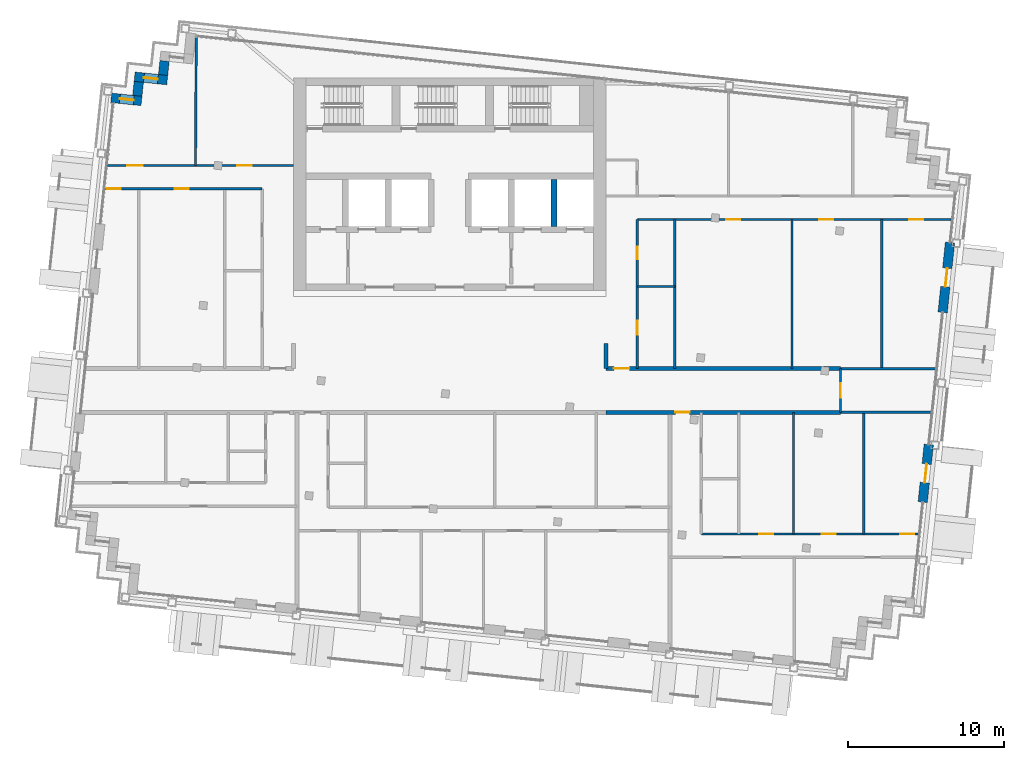
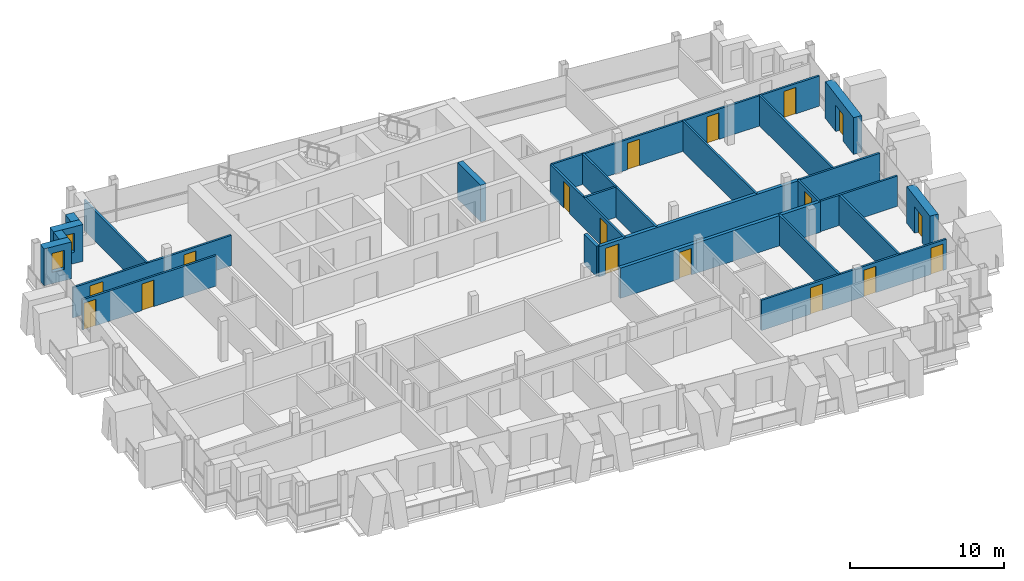
# One storey, part 11 of 16: 25 walls, 17 doors, 2 windows, 19 openings.
"""IFC4 building model written with IfcOpenShell, lengths in metres."""

from ifc_helpers import new_model, si_unit, direction, frame, frame_2d, origin, place, context, subcontext, project, spatial, rectangle, extrude, material, layer, layer_set, type_object, element, fill, save


model = new_model("IFC4")

# Units and contexts
model_context = context("Model", 3, precision=1e-05, world=origin(), true_north=direction((0.0, 1.0)))
body_context = subcontext(model_context, "Body", "Model", "MODEL_VIEW")
ifc_project = project(units=[si_unit("LENGTHUNIT", "METRE"), si_unit("AREAUNIT", "SQUARE_METRE"), si_unit("VOLUMEUNIT", "CUBIC_METRE"), si_unit("PLANEANGLEUNIT", "RADIAN"), si_unit("MASSUNIT", "GRAM", prefix="KILO")], contexts=[model_context])

# Site, building, storey
site_placement = place(None, origin())
site = spatial("IfcSite", under=ifc_project, at=site_placement, CompositionType="ELEMENT")
building_placement = place(site_placement, origin())
building = spatial("IfcBuilding", under=site, at=building_placement, Name="Vidyagriha Tower", CompositionType="ELEMENT")
storey_placement = place(building_placement, frame((0.0, 0.0, 256.300048828125)))
storey = spatial("IfcBuildingStorey", under=building, at=storey_placement, Name="L66", CompositionType="ELEMENT", Elevation=256.300048828125)

# Wall
ifc_material_1 = material(Name="Precast concrete C40/50 with brick facing", Category="concrete")
ifc_layer_1 = layer(ifc_material_1, 0.60009765625)
ifc_layer_set_1 = layer_set([ifc_layer_1], Name="Precast concrete C40/50 with brick facing")
wall_type_1 = type_object("IfcWallType", Name="Brick-faced precast wall 600", PredefinedType="STANDARD", material=ifc_layer_set_1)
wall_1_placement = place(storey_placement, frame((-18.250244140625, 21.083984375, 0.0), z_axis=(0.0, 0.0, 1.0), x_axis=(-0.104416541099, -0.994533652495, 0.0)))
element("IfcWall", 1, at=wall_1_placement, inside=storey, type_object=wall_type_1, Name="Stepped corner wall L66 R10", PredefinedType="STANDARD", context=body_context, shape_type="SweptSolid", body=[
    extrude(rectangle(XDim=0.900146484375, YDim=0.60009765625, at=frame_2d((0.4501953125, 0.0))), origin(), (0.0, 0.0, 1.0), 2.919921875),
])

# Wall, opening, window
wall_2_placement = place(storey_placement, frame((-18.077392578125, 19.859130859375, 0.0), z_axis=(0.0, 0.0, 1.0), x_axis=(-0.994522640205, 0.104521376379, 0.0)))
wall_2 = element("IfcWall", 2, at=wall_2_placement, inside=storey, type_object=wall_type_1, Name="Stepped corner wall L66 R11", PredefinedType="STANDARD", context=body_context, shape_type="SweptSolid", body=[
    extrude(rectangle(XDim=2.099853515625, YDim=0.60009765625, at=frame_2d((1.0498046875, 0.0))), origin(), (0.0, 0.0, 1.0), 2.919921875),
])
opening_1_placement = place(wall_2_placement, frame((0.60009765625, 0.0, 0.89990234375)))
opening_1 = element("IfcOpeningElement", 3, at=opening_1_placement, cuts=wall_2, Name="Opening WN1", PredefinedType="OPENING", context=body_context, shape_type="SweptSolid", body=[
    extrude(rectangle(XDim=0.89990234375, YDim=1.5, at=frame_2d((0.449951171875, 0.75))), frame((0.0, 0.31005859375, 0.0), z_axis=(0.0, -1.0, 0.0), x_axis=(1.0, 0.0, 0.0)), (0.0, 0.0, 1.0), 0.6201171875),
])
ifc_material_2 = material(Name="Aluminium and glass window", Category="aluminium")
window_type = type_object("IfcWindowType", Name="Reveal window 900x1500", PartitioningType="NOTDEFINED", PredefinedType="WINDOW", material=ifc_material_2)
window_1_placement = place(opening_1_placement, origin())
window_1 = element("IfcWindow", 4, at=window_1_placement, inside=storey, type_object=window_type, Name="Reveal window L66 R11", OverallHeight=1.5, OverallWidth=0.89990234375, PartitioningType="SINGLE_PANEL", PredefinedType="WINDOW", context=body_context, shape_type="SweptSolid", body=[
    extrude(rectangle(XDim=0.89990234375, YDim=1.5, at=frame_2d((0.449951171875, 0.75))), frame((0.0, 0.030029296875, 0.0), z_axis=(0.0, -1.0, 0.0), x_axis=(1.0, 0.0, 0.0)), (0.0, 0.0, 1.0), 0.06005859375),
])
fill(opening_1, window_1)

# Wall
wall_3_placement = place(storey_placement, frame((-19.898681640625, 19.748779296875, 0.0), z_axis=(0.0, 0.0, 1.0), x_axis=(-0.104741284723, -0.994499503909, 0.0)))
element("IfcWall", 5, at=wall_3_placement, inside=storey, type_object=wall_type_1, Name="Stepped corner wall L66 R12", PredefinedType="STANDARD", context=body_context, shape_type="SweptSolid", body=[
    extrude(rectangle(XDim=0.899658203125, YDim=0.60009765625, at=frame_2d((0.44970703125, 0.0))), origin(), (0.0, 0.0, 1.0), 2.919921875),
])

# Wall, opening, window
wall_4_placement = place(storey_placement, frame((-19.725830078125, 18.5244140625, 0.0), z_axis=(0.0, 0.0, 1.0), x_axis=(-0.994534226826, 0.104411070641, 0.0)))
wall_4 = element("IfcWall", 6, at=wall_4_placement, inside=storey, type_object=wall_type_1, Name="Stepped corner wall L66 R13", PredefinedType="STANDARD", context=body_context, shape_type="SweptSolid", body=[
    extrude(rectangle(XDim=1.9501953125, YDim=0.60009765625, at=frame_2d((0.97509765625, 0.0))), origin(), (0.0, 0.0, 1.0), 2.919921875),
])
opening_2_placement = place(wall_4_placement, frame((0.489990234375, 0.0, 0.89990234375)))
opening_2 = element("IfcOpeningElement", 7, at=opening_2_placement, cuts=wall_4, Name="Opening WN1", PredefinedType="OPENING", context=body_context, shape_type="SweptSolid", body=[
    extrude(rectangle(XDim=0.89990234375, YDim=1.5, at=frame_2d((0.449951171875, 0.75))), frame((0.0, 0.31005859375, 0.0), z_axis=(0.0, -1.0, 0.0), x_axis=(1.0, 0.0, 0.0)), (0.0, 0.0, 1.0), 0.6201171875),
])
window_2_placement = place(opening_2_placement, origin())
window_2 = element("IfcWindow", 8, at=window_2_placement, inside=storey, type_object=window_type, Name="Reveal window L66 R13", OverallHeight=1.5, OverallWidth=0.89990234375, PartitioningType="SINGLE_PANEL", PredefinedType="WINDOW", context=body_context, shape_type="SweptSolid", body=[
    extrude(rectangle(XDim=0.89990234375, YDim=1.5, at=frame_2d((0.449951171875, 0.75))), frame((0.0, 0.030029296875, 0.0), z_axis=(0.0, -1.0, 0.0), x_axis=(1.0, 0.0, 0.0)), (0.0, 0.0, 1.0), 0.06005859375),
])
fill(opening_2, window_2)

# Wall, opening, door
wall_5_placement = place(storey_placement, frame((30.26513671875, -7.14208984375, 0.0), z_axis=(0.0, 0.0, 1.0), x_axis=(0.104513052986, 0.994523514933, 0.0)))
wall_5 = element("IfcWall", 9, at=wall_5_placement, inside=storey, type_object=wall_type_1, Name="Brick door bay wall L66 R28.3", PredefinedType="STANDARD", context=body_context, shape_type="SweptSolid", body=[
    extrude(rectangle(XDim=3.7001953125, YDim=0.60009765625, at=frame_2d((1.85009765625, 0.0))), origin(), (0.0, 0.0, 1.0), 2.919921875),
])
opening_3_placement = place(wall_5_placement, frame((1.25, 0.0, 0.0)))
opening_3 = element("IfcOpeningElement", 10, at=opening_3_placement, cuts=wall_5, Name="Opening D66-60", PredefinedType="OPENING", context=body_context, shape_type="SweptSolid", body=[
    extrude(rectangle(XDim=1.199951171875, YDim=2.10009765625, at=frame_2d((0.60009765625, 1.050048828125))), frame((0.0, 0.31005859375, 0.0), z_axis=(0.0, -1.0, 0.0), x_axis=(1.0, 0.0, 0.0)), (0.0, 0.0, 1.0), 0.6201171875),
])
ifc_material_3 = material(Name="Aluminium framed glazed sliding door", Category="aluminium")
door_type_1 = type_object("IfcDoorType", Name="Balcony sliding door 1200x2100", OperationType="NOTDEFINED", PredefinedType="DOOR", material=ifc_material_3)
door_1_placement = place(opening_3_placement, origin())
door_1 = element("IfcDoor", 11, at=door_1_placement, inside=storey, type_object=door_type_1, Name="Door D66-60", OperationType="SLIDING_TO_LEFT", OverallHeight=2.10009765625, OverallWidth=1.199951171875, PredefinedType="DOOR", context=body_context, shape_type="SweptSolid", body=[
    extrude(rectangle(XDim=1.199951171875, YDim=2.10009765625, at=frame_2d((0.60009765625, 1.050048828125))), frame((0.0, 0.02490234375, 0.0), z_axis=(0.0, -1.0, 0.0), x_axis=(1.0, 0.0, 0.0)), (0.0, 0.0, 1.0), 0.050048828125),
])
fill(opening_3, door_1)

wall_6_placement = place(storey_placement, frame((31.540283203125, 4.9912109375, 0.0), z_axis=(0.0, 0.0, 1.0), x_axis=(0.104546400045, 0.994520009974, 0.0)))
wall_6 = element("IfcWall", 12, at=wall_6_placement, inside=storey, type_object=wall_type_1, Name="Brick door bay wall L66 R28.6", PredefinedType="STANDARD", context=body_context, shape_type="SweptSolid", body=[
    extrude(rectangle(XDim=4.5, YDim=0.60009765625, at=frame_2d((2.25, 0.0))), origin(), (0.0, 0.0, 1.0), 2.919921875),
])
opening_4_placement = place(wall_6_placement, frame((1.64990234375, 0.0, 0.0)))
opening_4 = element("IfcOpeningElement", 13, at=opening_4_placement, cuts=wall_6, Name="Opening D66-61", PredefinedType="OPENING", context=body_context, shape_type="SweptSolid", body=[
    extrude(rectangle(XDim=1.199951171875, YDim=2.10009765625, at=frame_2d((0.60009765625, 1.050048828125))), frame((0.0, 0.31005859375, 0.0), z_axis=(0.0, -1.0, 0.0), x_axis=(1.0, 0.0, 0.0)), (0.0, 0.0, 1.0), 0.6201171875),
])
door_2_placement = place(opening_4_placement, origin())
door_2 = element("IfcDoor", 14, at=door_2_placement, inside=storey, type_object=door_type_1, Name="Door D66-61", OperationType="SLIDING_TO_LEFT", OverallHeight=2.10009765625, OverallWidth=1.199951171875, PredefinedType="DOOR", context=body_context, shape_type="SweptSolid", body=[
    extrude(rectangle(XDim=1.199951171875, YDim=2.10009765625, at=frame_2d((0.60009765625, 1.050048828125))), frame((0.0, 0.02490234375, 0.0), z_axis=(0.0, -1.0, 0.0), x_axis=(1.0, 0.0, 0.0)), (0.0, 0.0, 1.0), 0.050048828125),
])
fill(opening_4, door_2)

# Wall
ifc_material_4 = material(Name="Concrete C60/75", Category="concrete")
ifc_layer_2 = layer(ifc_material_4, 0.39990234375)
ifc_layer_set_2 = layer_set([ifc_layer_2], Name="Concrete C60/75")
wall_type_2 = type_object("IfcWallType", Name="Core shear wall 400 mm", PredefinedType="SHEAR", material=ifc_layer_set_2)
wall_7_placement = place(storey_placement, frame((6.666748046875, 10.5, 0.0), z_axis=(0.0, 0.0, 1.0), x_axis=(0.0, 1.0, 0.0)))
element("IfcWall", 15, at=wall_7_placement, inside=storey, type_object=wall_type_2, Name="Core bay wall N6", PredefinedType="SHEAR", context=body_context, shape_type="SweptSolid", body=[
    extrude(rectangle(XDim=3.0, YDim=0.39990234375, at=frame_2d((1.5, 0.0))), origin(), (0.0, 0.0, 1.0), 2.919921875),
])

# Wall, opening, door
ifc_material_5 = material(Name="Fired clay brick masonry", Category="masonry")
ifc_layer_3 = layer(ifc_material_5, 0.25)
ifc_layer_set_3 = layer_set([ifc_layer_3], Name="Fired clay brick masonry")
wall_type_3 = type_object("IfcWallType", Name="Fired clay brick corridor wall 250", PredefinedType="PARTITIONING", material=ifc_layer_set_3)
wall_8_placement = place(storey_placement, frame((25.0, -1.39990234375, 0.0), z_axis=(0.0, 0.0, 1.0), x_axis=(-1.0, 0.0, 0.0)))
wall_8 = element("IfcWall", 16, at=wall_8_placement, inside=storey, type_object=wall_type_3, Name="Wall all-L66-w054", PredefinedType="PARTITIONING", context=body_context, shape_type="SweptSolid", body=[
    extrude(rectangle(XDim=15.0, YDim=0.25, at=frame_2d((7.5, 0.0))), origin(), (0.0, 0.0, 1.0), 2.39990234375),
])
opening_5_placement = place(wall_8_placement, frame((9.657958984375, 0.0, 0.0)))
opening_5 = element("IfcOpeningElement", 17, at=opening_5_placement, cuts=wall_8, Name="Opening D66-34", PredefinedType="OPENING", context=body_context, shape_type="SweptSolid", body=[
    extrude(rectangle(XDim=0.89990234375, YDim=2.10009765625, at=frame_2d((0.449951171875, 1.050048828125))), frame((0.0, 0.135009765625, 0.0), z_axis=(0.0, -1.0, 0.0), x_axis=(1.0, 0.0, 0.0)), (0.0, 0.0, 1.0), 0.27001953125),
])
ifc_material_6 = material(Name="Fire-rated timber door leaf EI 60", Category="wood")
door_type_2 = type_object("IfcDoorType", Name="Flat entrance fire door 900x2100", OperationType="NOTDEFINED", PredefinedType="DOOR", material=ifc_material_6)
door_3_placement = place(opening_5_placement, origin())
door_3 = element("IfcDoor", 18, at=door_3_placement, inside=storey, type_object=door_type_2, Name="Door D66-34", OperationType="SINGLE_SWING_RIGHT", OverallHeight=2.10009765625, OverallWidth=0.89990234375, PredefinedType="DOOR", context=body_context, shape_type="SweptSolid", body=[
    extrude(rectangle(XDim=0.89990234375, YDim=2.10009765625, at=frame_2d((0.449951171875, 1.050048828125))), frame((0.0, 0.02490234375, 0.0), z_axis=(0.0, -1.0, 0.0), x_axis=(1.0, 0.0, 0.0)), (0.0, 0.0, 1.0), 0.050048828125),
])
fill(opening_5, door_3)

wall_9_placement = place(storey_placement, frame((10.0, 1.39990234375, 0.0)))
wall_9 = element("IfcWall", 19, at=wall_9_placement, inside=storey, type_object=wall_type_3, Name="Wall all-L66-w092", PredefinedType="PARTITIONING", context=body_context, shape_type="SweptSolid", body=[
    extrude(rectangle(XDim=15.0, YDim=0.25, at=frame_2d((7.5, 0.0))), origin(), (0.0, 0.0, 1.0), 2.39990234375),
])
opening_6_placement = place(wall_9_placement, frame((0.5, 0.0, 0.0)))
opening_6 = element("IfcOpeningElement", 20, at=opening_6_placement, cuts=wall_9, Name="Opening D66-51", PredefinedType="OPENING", context=body_context, shape_type="SweptSolid", body=[
    extrude(rectangle(XDim=1.0, YDim=2.10009765625, at=frame_2d((0.5, 1.050048828125))), frame((0.0, 0.135009765625, 0.0), z_axis=(0.0, -1.0, 0.0), x_axis=(1.0, 0.0, 0.0)), (0.0, 0.0, 1.0), 0.27001953125),
])
ifc_material_7 = material(Name="Fire-rated timber door leaf EI 60", Category="wood")
door_type_3 = type_object("IfcDoorType", Name="Flat entrance fire door 1000x2100", OperationType="NOTDEFINED", PredefinedType="DOOR", material=ifc_material_7)
door_4_placement = place(opening_6_placement, origin())
door_4 = element("IfcDoor", 21, at=door_4_placement, inside=storey, type_object=door_type_3, Name="Door D66-51", OperationType="SINGLE_SWING_LEFT", OverallHeight=2.10009765625, OverallWidth=1.0, PredefinedType="DOOR", context=body_context, shape_type="SweptSolid", body=[
    extrude(rectangle(XDim=1.0, YDim=2.10009765625, at=frame_2d((0.5, 1.050048828125))), frame((0.0, 0.02490234375, 0.0), z_axis=(0.0, -1.0, 0.0), x_axis=(1.0, 0.0, 0.0)), (0.0, 0.0, 1.0), 0.050048828125),
])
fill(opening_6, door_4)

# Walls
wall_10_placement = place(storey_placement, frame((10.0, 1.39990234375, 0.0), z_axis=(0.0, 0.0, 1.0), x_axis=(0.0, 1.0, 0.0)))
element("IfcWall", 22, at=wall_10_placement, inside=storey, type_object=wall_type_3, Name="Wall all-L66-w098", PredefinedType="PARTITIONING", context=body_context, shape_type="SweptSolid", body=[
    extrude(rectangle(XDim=1.60009765625, YDim=0.25, at=frame_2d((0.800048828125, 0.0))), origin(), (0.0, 0.0, 1.0), 2.39990234375),
])
ifc_material_8 = material(Name="Gypsum board partition")
ifc_layer_4 = layer(ifc_material_8, 0.14990234375)
ifc_layer_set_4 = layer_set([ifc_layer_4], Name="Gypsum board partition")
wall_type_4 = type_object("IfcWallType", Name="Gypsum board partition 150", PredefinedType="PARTITIONING", material=ifc_layer_set_4)
for number, where, z_axis, x_axis, name in (
    (23, (21.998046875, -1.39990234375, 0.0), (0.0, 0.0, 1.0), (0.0, -1.0, 0.0), "Wall all-L66-w041"),
    (24, (26.498046875, -1.39990234375, 0.0), (0.0, 0.0, 1.0), (0.0, -1.0, 0.0), "Wall all-L66-w042"),
):
    element("IfcWall", number, at=place(storey_placement, frame(where, z_axis=z_axis, x_axis=x_axis)), inside=storey, type_object=wall_type_4, Name=name, PredefinedType="PARTITIONING", context=body_context, shape_type="SweptSolid", body=[
        extrude(rectangle(XDim=7.78173828125, YDim=0.14990234375, at=frame_2d((3.890869140625, 0.0))), origin(), (0.0, 0.0, 1.0), 2.39990234375),
    ])

# Wall, openings, doors
wall_11_placement = place(storey_placement, frame((16.097900390625, -9.181640625, 0.0)))
wall_11 = element("IfcWall", 25, at=wall_11_placement, inside=storey, type_object=wall_type_4, Name="Wall all-L66-w043", PredefinedType="PARTITIONING", context=body_context, shape_type="SweptSolid", body=[
    extrude(rectangle(XDim=13.873291015625, YDim=0.14990234375, at=frame_2d((6.9365234375, 0.0))), origin(), (0.0, 0.0, 1.0), 2.39990234375),
])
opening_7_placement = place(wall_11_placement, frame((3.699951171875, 0.0, 0.0)))
opening_7 = element("IfcOpeningElement", 26, at=opening_7_placement, cuts=wall_11, Name="Opening D66-29", PredefinedType="OPENING", context=body_context, shape_type="SweptSolid", body=[
    extrude(rectangle(XDim=0.89990234375, YDim=2.10009765625, at=frame_2d((0.449951171875, 1.050048828125))), frame((0.0, 0.0849609375, 0.0), z_axis=(0.0, -1.0, 0.0), x_axis=(1.0, 0.0, 0.0)), (0.0, 0.0, 1.0), 0.169921875),
])
opening_8_placement = place(wall_11_placement, frame((7.699951171875, 0.0, 0.0)))
opening_8 = element("IfcOpeningElement", 27, at=opening_8_placement, cuts=wall_11, Name="Opening D66-30", PredefinedType="OPENING", context=body_context, shape_type="SweptSolid", body=[
    extrude(rectangle(XDim=0.89990234375, YDim=2.10009765625, at=frame_2d((0.449951171875, 1.050048828125))), frame((0.0, 0.0849609375, 0.0), z_axis=(0.0, -1.0, 0.0), x_axis=(1.0, 0.0, 0.0)), (0.0, 0.0, 1.0), 0.169921875),
])
opening_9_placement = place(wall_11_placement, frame((12.7294921875, 0.0, 0.0)))
opening_9 = element("IfcOpeningElement", 28, at=opening_9_placement, cuts=wall_11, Name="Opening D66-31", PredefinedType="OPENING", context=body_context, shape_type="SweptSolid", body=[
    extrude(rectangle(XDim=0.89990234375, YDim=2.10009765625, at=frame_2d((0.449951171875, 1.050048828125))), frame((0.0, 0.0849609375, 0.0), z_axis=(0.0, -1.0, 0.0), x_axis=(1.0, 0.0, 0.0)), (0.0, 0.0, 1.0), 0.169921875),
])
ifc_material_9 = material(Name="Timber door leaf", Category="wood")
door_type_4 = type_object("IfcDoorType", Name="Room door 900x2100", OperationType="NOTDEFINED", PredefinedType="DOOR", material=ifc_material_9)
door_5_placement = place(opening_7_placement, origin())
door_5 = element("IfcDoor", 29, at=door_5_placement, inside=storey, type_object=door_type_4, Name="Door D66-29", OperationType="SINGLE_SWING_RIGHT", OverallHeight=2.10009765625, OverallWidth=0.89990234375, PredefinedType="DOOR", context=body_context, shape_type="SweptSolid", body=[
    extrude(rectangle(XDim=0.89990234375, YDim=2.10009765625, at=frame_2d((0.449951171875, 1.050048828125))), frame((0.0, 0.02490234375, 0.0), z_axis=(0.0, -1.0, 0.0), x_axis=(1.0, 0.0, 0.0)), (0.0, 0.0, 1.0), 0.050048828125),
])
fill(opening_7, door_5)
door_6_placement = place(opening_8_placement, origin())
door_6 = element("IfcDoor", 30, at=door_6_placement, inside=storey, type_object=door_type_4, Name="Door D66-30", OperationType="SINGLE_SWING_RIGHT", OverallHeight=2.10009765625, OverallWidth=0.89990234375, PredefinedType="DOOR", context=body_context, shape_type="SweptSolid", body=[
    extrude(rectangle(XDim=0.89990234375, YDim=2.10009765625, at=frame_2d((0.449951171875, 1.050048828125))), frame((0.0, 0.02490234375, 0.0), z_axis=(0.0, -1.0, 0.0), x_axis=(1.0, 0.0, 0.0)), (0.0, 0.0, 1.0), 0.050048828125),
])
fill(opening_8, door_6)
door_7_placement = place(opening_9_placement, origin())
door_7 = element("IfcDoor", 31, at=door_7_placement, inside=storey, type_object=door_type_4, Name="Door D66-31", OperationType="SINGLE_SWING_RIGHT", OverallHeight=2.10009765625, OverallWidth=0.89990234375, PredefinedType="DOOR", context=body_context, shape_type="SweptSolid", body=[
    extrude(rectangle(XDim=0.89990234375, YDim=2.10009765625, at=frame_2d((0.449951171875, 1.050048828125))), frame((0.0, 0.02490234375, 0.0), z_axis=(0.0, -1.0, 0.0), x_axis=(1.0, 0.0, 0.0)), (0.0, 0.0, 1.0), 0.050048828125),
])
fill(opening_9, door_7)

# Wall
wall_12_placement = place(storey_placement, frame((30.79833984375, -1.39990234375, 0.0), z_axis=(0.0, 0.0, 1.0), x_axis=(-1.0, 0.0, 0.0)))
element("IfcWall", 32, at=wall_12_placement, inside=storey, type_object=wall_type_4, Name="Wall all-L66-w055", PredefinedType="PARTITIONING", context=body_context, shape_type="SweptSolid", body=[
    extrude(rectangle(XDim=5.79833984375, YDim=0.14990234375, at=frame_2d((2.899169921875, 0.0))), origin(), (0.0, 0.0, 1.0), 2.39990234375),
])

# Wall, openings, doors
wall_13_placement = place(storey_placement, frame((-12.0, 12.89990234375, 0.0), z_axis=(0.0, 0.0, 1.0), x_axis=(-1.0, 0.0, 0.0)))
wall_13 = element("IfcWall", 33, at=wall_13_placement, inside=storey, type_object=wall_type_4, Name="Wall all-L66-w062", PredefinedType="PARTITIONING", context=body_context, shape_type="SweptSolid", body=[
    extrude(rectangle(XDim=10.04736328125, YDim=0.14990234375, at=frame_2d((5.023681640625, 0.0))), origin(), (0.0, 0.0, 1.0), 2.39990234375),
])
opening_10_placement = place(wall_13_placement, frame((4.699951171875, 0.0, 0.0)))
opening_10 = element("IfcOpeningElement", 34, at=opening_10_placement, cuts=wall_13, Name="Opening D66-37", PredefinedType="OPENING", context=body_context, shape_type="SweptSolid", body=[
    extrude(rectangle(XDim=0.89990234375, YDim=2.10009765625, at=frame_2d((0.449951171875, 1.050048828125))), frame((0.0, 0.0849609375, 0.0), z_axis=(0.0, -1.0, 0.0), x_axis=(1.0, 0.0, 0.0)), (0.0, 0.0, 1.0), 0.169921875),
])
opening_11_placement = place(wall_13_placement, frame((9.04736328125, 0.0, 0.0)))
opening_11 = element("IfcOpeningElement", 35, at=opening_11_placement, cuts=wall_13, Name="Opening D66-38", PredefinedType="OPENING", context=body_context, shape_type="SweptSolid", body=[
    extrude(rectangle(XDim=0.89990234375, YDim=2.10009765625, at=frame_2d((0.449951171875, 1.050048828125))), frame((0.0, 0.0849609375, 0.0), z_axis=(0.0, -1.0, 0.0), x_axis=(1.0, 0.0, 0.0)), (0.0, 0.0, 1.0), 0.169921875),
])
door_8_placement = place(opening_10_placement, origin())
door_8 = element("IfcDoor", 36, at=door_8_placement, inside=storey, type_object=door_type_4, Name="Door D66-37", OperationType="SINGLE_SWING_LEFT", OverallHeight=2.10009765625, OverallWidth=0.89990234375, PredefinedType="DOOR", context=body_context, shape_type="SweptSolid", body=[
    extrude(rectangle(XDim=0.89990234375, YDim=2.10009765625, at=frame_2d((0.449951171875, 1.050048828125))), frame((0.0, 0.02490234375, 0.0), z_axis=(0.0, -1.0, 0.0), x_axis=(1.0, 0.0, 0.0)), (0.0, 0.0, 1.0), 0.050048828125),
])
fill(opening_10, door_8)
door_9_placement = place(opening_11_placement, origin())
door_9 = element("IfcDoor", 37, at=door_9_placement, inside=storey, type_object=door_type_4, Name="Door D66-38", OperationType="SINGLE_SWING_RIGHT", OverallHeight=2.10009765625, OverallWidth=0.89990234375, PredefinedType="DOOR", context=body_context, shape_type="SweptSolid", body=[
    extrude(rectangle(XDim=0.89990234375, YDim=2.10009765625, at=frame_2d((0.449951171875, 1.050048828125))), frame((0.0, 0.02490234375, 0.0), z_axis=(0.0, -1.0, 0.0), x_axis=(1.0, 0.0, 0.0)), (0.0, 0.0, 1.0), 0.050048828125),
])
fill(opening_11, door_9)

wall_14_placement = place(storey_placement, frame((-21.889892578125, 14.39990234375, 0.0)))
wall_14 = element("IfcWall", 38, at=wall_14_placement, inside=storey, type_object=wall_type_4, Name="Wall all-L66-w065", PredefinedType="PARTITIONING", context=body_context, shape_type="SweptSolid", body=[
    extrude(rectangle(XDim=11.889892578125, YDim=0.14990234375, at=frame_2d((5.94482421875, 0.0))), origin(), (0.0, 0.0, 1.0), 2.39990234375),
])
opening_12_placement = place(wall_14_placement, frame((1.259765625, 0.0, 0.0)))
opening_12 = element("IfcOpeningElement", 39, at=opening_12_placement, cuts=wall_14, Name="Opening D66-39", PredefinedType="OPENING", context=body_context, shape_type="SweptSolid", body=[
    extrude(rectangle(XDim=1.0, YDim=2.10009765625, at=frame_2d((0.5, 1.050048828125))), frame((0.0, 0.0849609375, 0.0), z_axis=(0.0, -1.0, 0.0), x_axis=(1.0, 0.0, 0.0)), (0.0, 0.0, 1.0), 0.169921875),
])
opening_13_placement = place(wall_14_placement, frame((8.3037109375, 0.0, 0.0)))
opening_13 = element("IfcOpeningElement", 40, at=opening_13_placement, cuts=wall_14, Name="Opening D66-40", PredefinedType="OPENING", context=body_context, shape_type="SweptSolid", body=[
    extrude(rectangle(XDim=0.89990234375, YDim=2.10009765625, at=frame_2d((0.449951171875, 1.050048828125))), frame((0.0, 0.0849609375, 0.0), z_axis=(0.0, -1.0, 0.0), x_axis=(1.0, 0.0, 0.0)), (0.0, 0.0, 1.0), 0.169921875),
])
ifc_material_10 = material(Name="Timber door leaf", Category="wood")
door_type_5 = type_object("IfcDoorType", Name="Room door 1000x2100", OperationType="NOTDEFINED", PredefinedType="DOOR", material=ifc_material_10)
door_10_placement = place(opening_12_placement, origin())
door_10 = element("IfcDoor", 41, at=door_10_placement, inside=storey, type_object=door_type_5, Name="Door D66-39", OperationType="SINGLE_SWING_LEFT", OverallHeight=2.10009765625, OverallWidth=1.0, PredefinedType="DOOR", context=body_context, shape_type="SweptSolid", body=[
    extrude(rectangle(XDim=1.0, YDim=2.10009765625, at=frame_2d((0.5, 1.050048828125))), frame((0.0, 0.02490234375, 0.0), z_axis=(0.0, -1.0, 0.0), x_axis=(1.0, 0.0, 0.0)), (0.0, 0.0, 1.0), 0.050048828125),
])
fill(opening_12, door_10)
door_11_placement = place(opening_13_placement, origin())
door_11 = element("IfcDoor", 42, at=door_11_placement, inside=storey, type_object=door_type_4, Name="Door D66-40", OperationType="SINGLE_SWING_RIGHT", OverallHeight=2.10009765625, OverallWidth=0.89990234375, PredefinedType="DOOR", context=body_context, shape_type="SweptSolid", body=[
    extrude(rectangle(XDim=0.89990234375, YDim=2.10009765625, at=frame_2d((0.449951171875, 1.050048828125))), frame((0.0, 0.02490234375, 0.0), z_axis=(0.0, -1.0, 0.0), x_axis=(1.0, 0.0, 0.0)), (0.0, 0.0, 1.0), 0.050048828125),
])
fill(opening_13, door_11)

# Walls
wall_15_placement = place(storey_placement, frame((-16.221923828125, 22.6103515625, 0.0), z_axis=(0.0, 0.0, 1.0), x_axis=(-0.006095634594, -0.999981421447, 0.0)))
element("IfcWall", 43, at=wall_15_placement, inside=storey, type_object=wall_type_4, Name="Wall all-L66-w068", PredefinedType="PARTITIONING", context=body_context, shape_type="SweptSolid", body=[
    extrude(rectangle(XDim=8.210693359375, YDim=0.14990234375, at=frame_2d((4.10546875, 0.0))), origin(), (0.0, 0.0, 1.0), 2.39990234375),
])
wall_16_placement = place(storey_placement, frame((12.0, 6.64990234375, 0.0)))
element("IfcWall", 44, at=wall_16_placement, inside=storey, type_object=wall_type_4, Name="Wall all-L66-w074", PredefinedType="PARTITIONING", context=body_context, shape_type="SweptSolid", body=[
    extrude(rectangle(XDim=2.39990234375, YDim=0.14990234375, at=frame_2d((1.199951171875, 0.0))), origin(), (0.0, 0.0, 1.0), 2.39990234375),
])
for number, where, z_axis, x_axis, name in (
    (45, (14.39990234375, 10.943359375, 0.0), (0.0, 0.0, 1.0), (0.0, -1.0, 0.0), "Wall all-L66-w075"),
    (46, (21.89990234375, 10.943359375, 0.0), (0.0, 0.0, 1.0), (0.0, -1.0, 0.0), "Wall all-L66-w076"),
    (47, (27.64990234375, 10.943359375, 0.0), (0.0, 0.0, 1.0), (0.0, -1.0, 0.0), "Wall all-L66-w077"),
):
    element("IfcWall", number, at=place(storey_placement, frame(where, z_axis=z_axis, x_axis=x_axis)), inside=storey, type_object=wall_type_4, Name=name, PredefinedType="PARTITIONING", context=body_context, shape_type="SweptSolid", body=[
        extrude(rectangle(XDim=9.54345703125, YDim=0.14990234375, at=frame_2d((4.771728515625, 0.0))), origin(), (0.0, 0.0, 1.0), 2.39990234375),
    ])

# Wall, openings, doors
wall_17_placement = place(storey_placement, frame((32.086669921875, 10.943359375, 0.0), z_axis=(0.0, 0.0, 1.0), x_axis=(-1.0, 0.0, 0.0)))
wall_17 = element("IfcWall", 48, at=wall_17_placement, inside=storey, type_object=wall_type_4, Name="Wall all-L66-w078", PredefinedType="PARTITIONING", context=body_context, shape_type="SweptSolid", body=[
    extrude(rectangle(XDim=20.086669921875, YDim=0.14990234375, at=frame_2d((10.04345703125, 0.0))), origin(), (0.0, 0.0, 1.0), 2.39990234375),
])
opening_14_placement = place(wall_17_placement, frame((13.486572265625, 0.0, 0.0)))
opening_14 = element("IfcOpeningElement", 49, at=opening_14_placement, cuts=wall_17, Name="Opening D66-44", PredefinedType="OPENING", context=body_context, shape_type="SweptSolid", body=[
    extrude(rectangle(XDim=0.89990234375, YDim=2.10009765625, at=frame_2d((0.449951171875, 1.050048828125))), frame((0.0, 0.0849609375, 0.0), z_axis=(0.0, -1.0, 0.0), x_axis=(1.0, 0.0, 0.0)), (0.0, 0.0, 1.0), 0.169921875),
])
opening_15_placement = place(wall_17_placement, frame((7.5419921875, 0.0, 0.0)))
opening_15 = element("IfcOpeningElement", 50, at=opening_15_placement, cuts=wall_17, Name="Opening D66-45", PredefinedType="OPENING", context=body_context, shape_type="SweptSolid", body=[
    extrude(rectangle(XDim=0.89990234375, YDim=2.10009765625, at=frame_2d((0.449951171875, 1.050048828125))), frame((0.0, 0.0849609375, 0.0), z_axis=(0.0, -1.0, 0.0), x_axis=(1.0, 0.0, 0.0)), (0.0, 0.0, 1.0), 0.169921875),
])
opening_16_placement = place(wall_17_placement, frame((1.783203125, 0.0, 0.0)))
opening_16 = element("IfcOpeningElement", 51, at=opening_16_placement, cuts=wall_17, Name="Opening D66-46", PredefinedType="OPENING", context=body_context, shape_type="SweptSolid", body=[
    extrude(rectangle(XDim=0.89990234375, YDim=2.10009765625, at=frame_2d((0.449951171875, 1.050048828125))), frame((0.0, 0.0849609375, 0.0), z_axis=(0.0, -1.0, 0.0), x_axis=(1.0, 0.0, 0.0)), (0.0, 0.0, 1.0), 0.169921875),
])
door_12_placement = place(opening_14_placement, origin())
door_12 = element("IfcDoor", 52, at=door_12_placement, inside=storey, type_object=door_type_4, Name="Door D66-44", OperationType="SINGLE_SWING_RIGHT", OverallHeight=2.10009765625, OverallWidth=0.89990234375, PredefinedType="DOOR", context=body_context, shape_type="SweptSolid", body=[
    extrude(rectangle(XDim=0.89990234375, YDim=2.10009765625, at=frame_2d((0.449951171875, 1.050048828125))), frame((0.0, 0.02490234375, 0.0), z_axis=(0.0, -1.0, 0.0), x_axis=(1.0, 0.0, 0.0)), (0.0, 0.0, 1.0), 0.050048828125),
])
fill(opening_14, door_12)
door_13_placement = place(opening_15_placement, origin())
door_13 = element("IfcDoor", 53, at=door_13_placement, inside=storey, type_object=door_type_4, Name="Door D66-45", OperationType="SINGLE_SWING_RIGHT", OverallHeight=2.10009765625, OverallWidth=0.89990234375, PredefinedType="DOOR", context=body_context, shape_type="SweptSolid", body=[
    extrude(rectangle(XDim=0.89990234375, YDim=2.10009765625, at=frame_2d((0.449951171875, 1.050048828125))), frame((0.0, 0.02490234375, 0.0), z_axis=(0.0, -1.0, 0.0), x_axis=(1.0, 0.0, 0.0)), (0.0, 0.0, 1.0), 0.050048828125),
])
fill(opening_15, door_13)
door_14_placement = place(opening_16_placement, origin())
door_14 = element("IfcDoor", 54, at=door_14_placement, inside=storey, type_object=door_type_4, Name="Door D66-46", OperationType="SINGLE_SWING_LEFT", OverallHeight=2.10009765625, OverallWidth=0.89990234375, PredefinedType="DOOR", context=body_context, shape_type="SweptSolid", body=[
    extrude(rectangle(XDim=0.89990234375, YDim=2.10009765625, at=frame_2d((0.449951171875, 1.050048828125))), frame((0.0, 0.02490234375, 0.0), z_axis=(0.0, -1.0, 0.0), x_axis=(1.0, 0.0, 0.0)), (0.0, 0.0, 1.0), 0.050048828125),
])
fill(opening_16, door_14)

# Wall
wall_18_placement = place(storey_placement, frame((25.0, 1.39990234375, 0.0)))
element("IfcWall", 55, at=wall_18_placement, inside=storey, type_object=wall_type_4, Name="Wall all-L66-w093", PredefinedType="PARTITIONING", context=body_context, shape_type="SweptSolid", body=[
    extrude(rectangle(XDim=6.092529296875, YDim=0.14990234375, at=frame_2d((3.04638671875, 0.0))), origin(), (0.0, 0.0, 1.0), 2.39990234375),
])

# Wall, opening, door
wall_19_placement = place(storey_placement, frame((25.0, -1.39990234375, 0.0), z_axis=(0.0, 0.0, 1.0), x_axis=(0.0, 1.0, 0.0)))
wall_19 = element("IfcWall", 56, at=wall_19_placement, inside=storey, type_object=wall_type_4, Name="Wall all-L66-w094", PredefinedType="PARTITIONING", context=body_context, shape_type="SweptSolid", body=[
    extrude(rectangle(XDim=2.7998046875, YDim=0.14990234375, at=frame_2d((1.39990234375, 0.0))), origin(), (0.0, 0.0, 1.0), 2.39990234375),
])
opening_17_placement = place(wall_19_placement, frame((0.949951171875, 0.0, 0.0)))
opening_17 = element("IfcOpeningElement", 57, at=opening_17_placement, cuts=wall_19, Name="Opening D66-52", PredefinedType="OPENING", context=body_context, shape_type="SweptSolid", body=[
    extrude(rectangle(XDim=0.89990234375, YDim=2.10009765625, at=frame_2d((0.449951171875, 1.050048828125))), frame((0.0, 0.0849609375, 0.0), z_axis=(0.0, -1.0, 0.0), x_axis=(1.0, 0.0, 0.0)), (0.0, 0.0, 1.0), 0.169921875),
])
door_15_placement = place(opening_17_placement, origin())
door_15 = element("IfcDoor", 58, at=door_15_placement, inside=storey, type_object=door_type_4, Name="Door D66-52", OperationType="SINGLE_SWING_RIGHT", OverallHeight=2.10009765625, OverallWidth=0.89990234375, PredefinedType="DOOR", context=body_context, shape_type="SweptSolid", body=[
    extrude(rectangle(XDim=0.89990234375, YDim=2.10009765625, at=frame_2d((0.449951171875, 1.050048828125))), frame((0.0, 0.02490234375, 0.0), z_axis=(0.0, -1.0, 0.0), x_axis=(1.0, 0.0, 0.0)), (0.0, 0.0, 1.0), 0.050048828125),
])
fill(opening_17, door_15)

# Wall, openings, doors
ifc_material_11 = material(Name="Moisture resistant gypsum board partition")
ifc_layer_5 = layer(ifc_material_11, 0.14990234375)
ifc_layer_set_5 = layer_set([ifc_layer_5], Name="Moisture resistant gypsum board partition")
wall_type_5 = type_object("IfcWallType", Name="Gypsum board wet-area partition 150", PredefinedType="PARTITIONING", material=ifc_layer_set_5)
wall_20_placement = place(storey_placement, frame((12.0, 10.943359375, 0.0), z_axis=(0.0, 0.0, 1.0), x_axis=(0.0, -1.0, 0.0)))
wall_20 = element("IfcWall", 59, at=wall_20_placement, inside=storey, type_object=wall_type_5, Name="Wall all-L66-w071", PredefinedType="PARTITIONING", context=body_context, shape_type="SweptSolid", body=[
    extrude(rectangle(XDim=9.54345703125, YDim=0.14990234375, at=frame_2d((4.771728515625, 0.0))), origin(), (0.0, 0.0, 1.0), 2.39990234375),
])
opening_18_placement = place(wall_20_placement, frame((6.468505859375, 0.0, 0.0)))
opening_18 = element("IfcOpeningElement", 60, at=opening_18_placement, cuts=wall_20, Name="Opening D66-42", PredefinedType="OPENING", context=body_context, shape_type="SweptSolid", body=[
    extrude(rectangle(XDim=0.89990234375, YDim=2.10009765625, at=frame_2d((0.449951171875, 1.050048828125))), frame((0.0, 0.0849609375, 0.0), z_axis=(0.0, -1.0, 0.0), x_axis=(1.0, 0.0, 0.0)), (0.0, 0.0, 1.0), 0.169921875),
])
opening_19_placement = place(wall_20_placement, frame((1.74658203125, 0.0, 0.0)))
opening_19 = element("IfcOpeningElement", 61, at=opening_19_placement, cuts=wall_20, Name="Opening D66-43", PredefinedType="OPENING", context=body_context, shape_type="SweptSolid", body=[
    extrude(rectangle(XDim=0.800048828125, YDim=2.10009765625, at=frame_2d((0.39990234375, 1.050048828125))), frame((0.0, 0.0849609375, 0.0), z_axis=(0.0, -1.0, 0.0), x_axis=(1.0, 0.0, 0.0)), (0.0, 0.0, 1.0), 0.169921875),
])
ifc_material_12 = material(Name="Timber door leaf", Category="wood")
door_type_6 = type_object("IfcDoorType", Name="Bathroom door 800x2100", OperationType="NOTDEFINED", PredefinedType="DOOR", material=ifc_material_12)
door_16_placement = place(opening_19_placement, origin())
door_16 = element("IfcDoor", 62, at=door_16_placement, inside=storey, type_object=door_type_6, Name="Door D66-43", OperationType="SINGLE_SWING_RIGHT", OverallHeight=2.10009765625, OverallWidth=0.800048828125, PredefinedType="DOOR", context=body_context, shape_type="SweptSolid", body=[
    extrude(rectangle(XDim=0.800048828125, YDim=2.10009765625, at=frame_2d((0.39990234375, 1.050048828125))), frame((0.0, 0.02490234375, 0.0), z_axis=(0.0, -1.0, 0.0), x_axis=(1.0, 0.0, 0.0)), (0.0, 0.0, 1.0), 0.050048828125),
])
fill(opening_19, door_16)
ifc_material_13 = material(Name="Timber door leaf", Category="wood")
door_type_7 = type_object("IfcDoorType", Name="Kitchen door 900x2100", OperationType="NOTDEFINED", PredefinedType="DOOR", material=ifc_material_13)
door_17_placement = place(opening_18_placement, origin())
door_17 = element("IfcDoor", 63, at=door_17_placement, inside=storey, type_object=door_type_7, Name="Door D66-42", OperationType="SINGLE_SWING_LEFT", OverallHeight=2.10009765625, OverallWidth=0.89990234375, PredefinedType="DOOR", context=body_context, shape_type="SweptSolid", body=[
    extrude(rectangle(XDim=0.89990234375, YDim=2.10009765625, at=frame_2d((0.449951171875, 1.050048828125))), frame((0.0, 0.02490234375, 0.0), z_axis=(0.0, -1.0, 0.0), x_axis=(1.0, 0.0, 0.0)), (0.0, 0.0, 1.0), 0.050048828125),
])
fill(opening_18, door_17)

save(model, "model.ifc")
